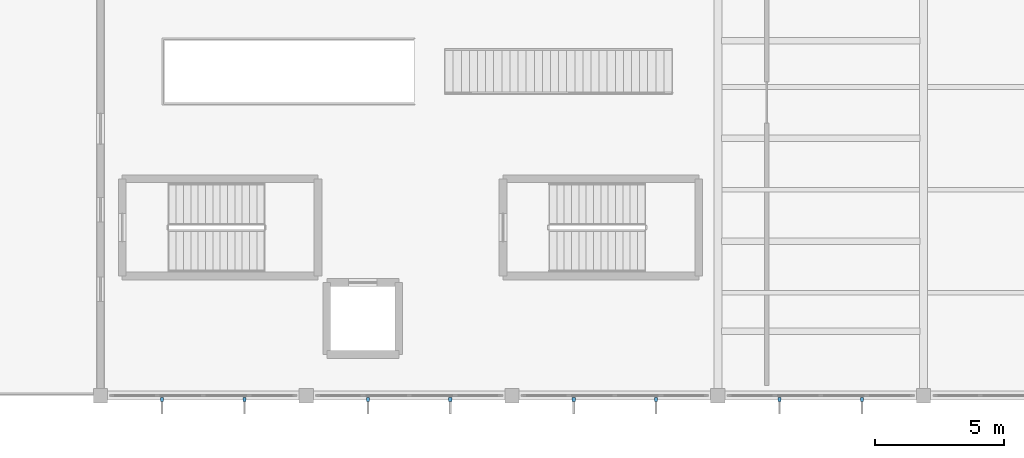
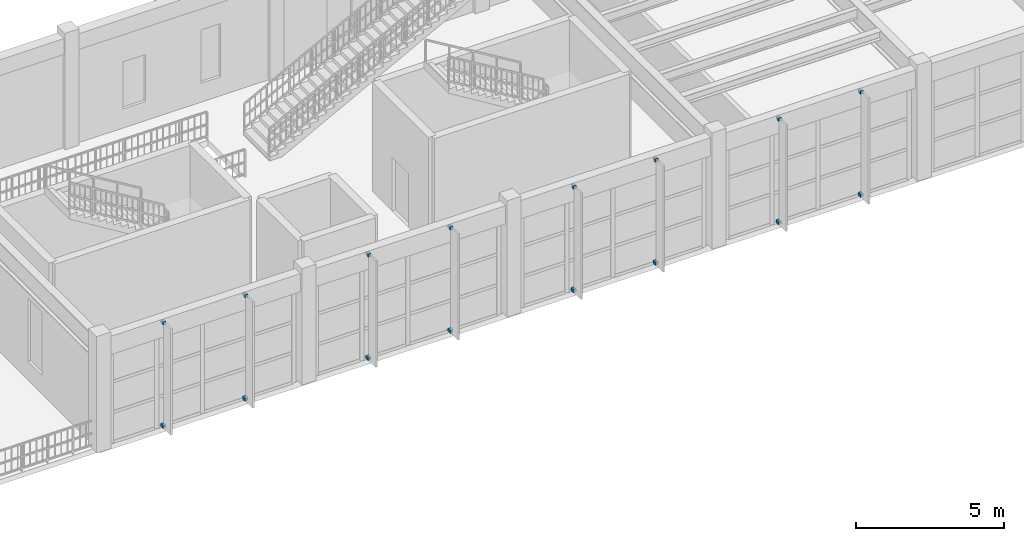
# One storey, part 50 of 59: 16 discrete accessories.
"""IFC4 building model written with IfcOpenShell, lengths in metres."""

from ifc_helpers import new_model, si_unit, direction, frame, origin, origin_2d, place, context, subcontext, project, spatial, rectangle, extrude, material, type_object, element, save


model = new_model("IFC4")

# Units and contexts
model_context = context("Model", 3, precision=1e-05, world=origin(), true_north=direction((0.0, 1.0)))
body_context = subcontext(model_context, "Body", "Model", "MODEL_VIEW")
ifc_project = project(units=[si_unit("LENGTHUNIT", "METRE"), si_unit("AREAUNIT", "SQUARE_METRE"), si_unit("VOLUMEUNIT", "CUBIC_METRE"), si_unit("PLANEANGLEUNIT", "RADIAN"), si_unit("MASSUNIT", "GRAM", prefix="KILO")], contexts=[model_context])

# Site, building, storey
site_placement = place(None, origin())
site = spatial("IfcSite", under=ifc_project, at=site_placement, CompositionType="ELEMENT")
building_placement = place(site_placement, origin())
building = spatial("IfcBuilding", under=site, at=building_placement, Name="Serraluz Foothill Cableway Terminal", CompositionType="ELEMENT")
storey_placement = place(building_placement, frame((0.0, 0.0, 4.800048828125)))
storey = spatial("IfcBuildingStorey", under=building, at=storey_placement, Name="L01", CompositionType="ELEMENT", Elevation=4.800048828125)

# Discrete accessories
ifc_material = material(Name="Steel ASTM A572 Grade 50", Category="steel")
discrete_accessory_type = type_object("IfcDiscreteAccessoryType", Name="TYP-ACC-BRK-120", PredefinedType="BRACKET", material=ifc_material)
for number, where, z_axis, x_axis, name in (
    (1, (98.39990234375, -0.139892578125, 0.059814453125), (0.0, 0.0, 1.0), (1.0, 0.0, 0.0), "Solar Fin Fixing Bracket 0001"),
    (2, (98.39990234375, -0.139892578125, 4.31982421875), (0.0, 0.0, 1.0), (1.0, 0.0, 0.0), "Solar Fin Fixing Bracket 0002"),
    (3, (101.60009765625, -0.139892578125, 0.059814453125), (0.0, 0.0, 1.0), (1.0, 0.0, 0.0), "Solar Fin Fixing Bracket 0005"),
    (4, (101.60009765625, -0.139892578125, 4.31982421875), (0.0, 0.0, 1.0), (1.0, 0.0, 0.0), "Solar Fin Fixing Bracket 0006"),
    (5, (106.39990234375, -0.139892578125, 0.059814453125), (0.0, 0.0, 1.0), (1.0, 0.0, 0.0), "Solar Fin Fixing Bracket 0009"),
    (6, (106.39990234375, -0.139892578125, 4.31982421875), (0.0, 0.0, 1.0), (1.0, 0.0, 0.0), "Solar Fin Fixing Bracket 0010"),
    (7, (109.60009765625, -0.139892578125, 0.059814453125), (0.0, 0.0, 1.0), (1.0, 0.0, 0.0), "Solar Fin Fixing Bracket 0013"),
    (8, (109.60009765625, -0.139892578125, 4.31982421875), (0.0, 0.0, 1.0), (1.0, 0.0, 0.0), "Solar Fin Fixing Bracket 0014"),
    (9, (114.39990234375, -0.139892578125, 0.059814453125), (0.0, 0.0, 1.0), (1.0, 0.0, 0.0), "Solar Fin Fixing Bracket 0017"),
    (10, (114.39990234375, -0.139892578125, 4.31982421875), (0.0, 0.0, 1.0), (1.0, 0.0, 0.0), "Solar Fin Fixing Bracket 0018"),
    (11, (117.60009765625, -0.139892578125, 0.059814453125), (0.0, 0.0, 1.0), (1.0, 0.0, 0.0), "Solar Fin Fixing Bracket 0021"),
    (12, (117.60009765625, -0.139892578125, 4.31982421875), (0.0, 0.0, 1.0), (1.0, 0.0, 0.0), "Solar Fin Fixing Bracket 0022"),
    (13, (122.39990234375, -0.139892578125, 0.059814453125), (0.0, 0.0, 1.0), (1.0, 0.0, 0.0), "Solar Fin Fixing Bracket 0025"),
    (14, (122.39990234375, -0.139892578125, 4.31982421875), (0.0, 0.0, 1.0), (1.0, 0.0, 0.0), "Solar Fin Fixing Bracket 0026"),
    (15, (125.60009765625, -0.139892578125, 0.059814453125), (0.0, 0.0, 1.0), (1.0, 0.0, 0.0), "Solar Fin Fixing Bracket 0029"),
    (16, (125.60009765625, -0.139892578125, 4.31982421875), (0.0, 0.0, 1.0), (1.0, 0.0, 0.0), "Solar Fin Fixing Bracket 0030"),
):
    element("IfcDiscreteAccessory", number, at=place(storey_placement, frame(where, z_axis=z_axis, x_axis=x_axis)), inside=storey, type_object=discrete_accessory_type, Name=name, PredefinedType="BRACKET", context=body_context, shape_type="SweptSolid", body=[
        extrude(rectangle(XDim=0.1201171875, YDim=0.159912109375, at=origin_2d()), origin(), (0.0, 0.0, 1.0), 0.1201171875),
    ])

save(model, "model.ifc")
